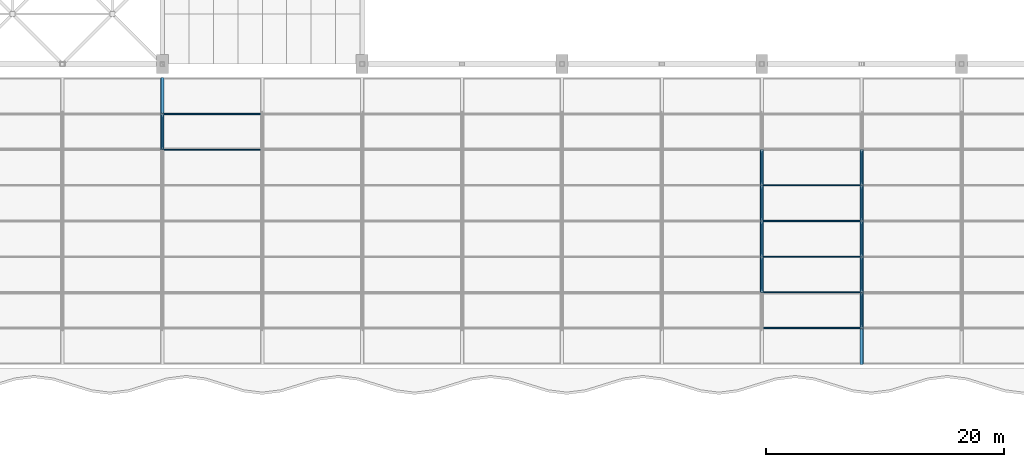
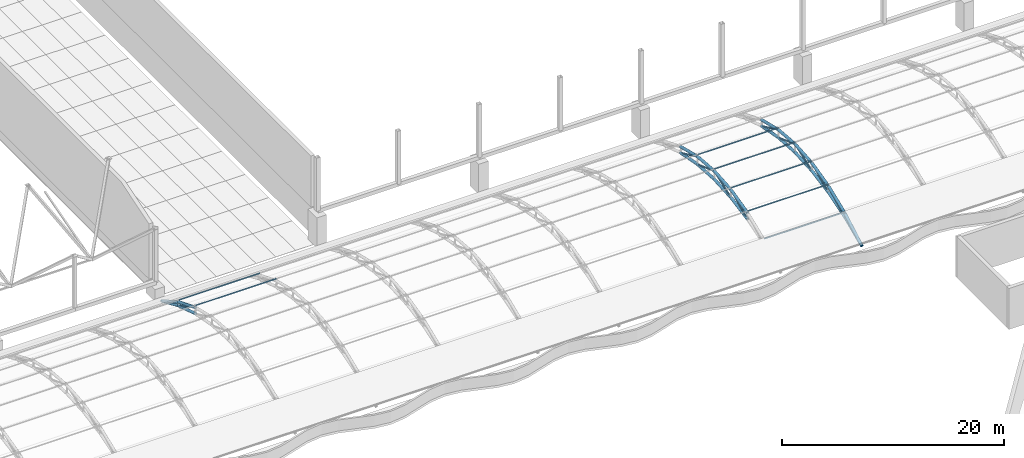
# One storey, part 48 of 163: 41 members.
"""IFC4 building model written with IfcOpenShell, lengths in metres."""

from ifc_helpers import new_model, si_unit, direction, frame, origin, origin_2d, place, context, subcontext, project, spatial, hollow_circle, extrude, material, material_profile, profile_set, type_object, element, save


model = new_model("IFC4")

# Units and contexts
model_context = context("Model", 3, precision=1e-05, world=origin(), true_north=direction((0.0, 1.0)))
body_context = subcontext(model_context, "Body", "Model", "MODEL_VIEW")
ifc_project = project(units=[si_unit("LENGTHUNIT", "METRE"), si_unit("AREAUNIT", "SQUARE_METRE"), si_unit("VOLUMEUNIT", "CUBIC_METRE"), si_unit("PLANEANGLEUNIT", "RADIAN"), si_unit("MASSUNIT", "GRAM", prefix="KILO")], contexts=[model_context])

# Site, building, storey
site_placement = place(None, origin())
site = spatial("IfcSite", under=ifc_project, at=site_placement, CompositionType="ELEMENT")
building_placement = place(site_placement, origin())
building = spatial("IfcBuilding", under=site, at=building_placement, Name="Rain Tree Exposition and Congress Centre", CompositionType="ELEMENT")
storey_placement = place(building_placement, frame((0.0, 0.0, 10.5)))
storey = spatial("IfcBuildingStorey", under=building, at=storey_placement, Name="L02", CompositionType="ELEMENT", Elevation=10.5)

# Members
ifc_material_1 = material(Name="Steel S355J2H", Category="steel")
ifc_material_profile_1 = material_profile(ifc_material_1, hollow_circle(Radius=0.090087890625, WallThickness=0.008056640625, at=origin_2d()), Name="CHS 180x8")
ifc_profile_set_1 = profile_set([ifc_material_profile_1], Name="Steel S355J2H")
member_type_1 = type_object("IfcMemberType", Name="Steel brace member CHS 180x8", PredefinedType="BRACE", material=ifc_profile_set_1)
member_1_placement = place(storey_placement, frame((126.0, 96.60009765625, 1.4423828125), z_axis=(0.0, -0.880818418444, 0.473454236151), x_axis=(1.0, 0.0, 0.0)))
element("IfcMember", 1, at=member_1_placement, inside=storey, type_object=member_type_1, Name="Roof truss 16 diagonal 6", PredefinedType="BRACE", context=body_context, shape_type="SweptSolid", body=[
    extrude(hollow_circle(Radius=0.090087890625, WallThickness=0.008056640625, at=origin_2d()), origin(), (0.0, 0.0, 1.0), 3.406005859375),
])
member_2_placement = place(storey_placement, frame((176.39990234375, 81.60009765625, 2.3798828125), z_axis=(0.0, 0.905430616583, 0.424494285655), x_axis=(-1.0, 0.0, 0.0)))
element("IfcMember", 2, at=member_2_placement, inside=storey, type_object=member_type_1, Name="Roof truss 22 diagonal 2", PredefinedType="BRACE", context=body_context, shape_type="SweptSolid", body=[
    extrude(hollow_circle(Radius=0.090087890625, WallThickness=0.008056640625, at=origin_2d()), origin(), (0.0, 0.0, 1.0), 3.313232421875),
])
for number, where, z_axis, x_axis, name in (
    (3, (176.39990234375, 84.60009765625, 2.9423828125), (0.0, 0.940121356633, 0.340839896143), (-1.0, 0.0, 0.0), "Roof truss 22 diagonal 3"),
    (4, (176.39990234375, 90.60009765625, 2.9423828125), (0.0, -0.940121356633, 0.340839896143), (1.0, 0.0, 0.0), "Roof truss 22 diagonal 4"),
):
    element("IfcMember", number, at=place(storey_placement, frame(where, z_axis=z_axis, x_axis=x_axis)), inside=storey, type_object=member_type_1, Name=name, PredefinedType="BRACE", context=body_context, shape_type="SweptSolid", body=[
        extrude(hollow_circle(Radius=0.090087890625, WallThickness=0.008056640625, at=origin_2d()), origin(), (0.0, 0.0, 1.0), 3.191162109375),
    ])
member_3_placement = place(storey_placement, frame((176.39990234375, 93.60009765625, 2.3798828125), z_axis=(0.0, -0.905430616583, 0.424494285655), x_axis=(1.0, 0.0, 0.0)))
element("IfcMember", 5, at=member_3_placement, inside=storey, type_object=member_type_1, Name="Roof truss 22 diagonal 5", PredefinedType="BRACE", context=body_context, shape_type="SweptSolid", body=[
    extrude(hollow_circle(Radius=0.090087890625, WallThickness=0.008056640625, at=origin_2d()), origin(), (0.0, 0.0, 1.0), 3.313232421875),
])
member_4_placement = place(storey_placement, frame((184.800048828125, 78.60009765625, 1.4423828125), z_axis=(0.0, 0.880818418444, 0.473454236151), x_axis=(-1.0, 0.0, 0.0)))
element("IfcMember", 6, at=member_4_placement, inside=storey, type_object=member_type_1, Name="Roof truss 23 diagonal 1", PredefinedType="BRACE", context=body_context, shape_type="SweptSolid", body=[
    extrude(hollow_circle(Radius=0.090087890625, WallThickness=0.008056640625, at=origin_2d()), origin(), (0.0, 0.0, 1.0), 3.406005859375),
])
member_5_placement = place(storey_placement, frame((184.800048828125, 81.60009765625, 2.3798828125), z_axis=(0.0, 0.905430616583, 0.424494285655), x_axis=(-1.0, 0.0, 0.0)))
element("IfcMember", 7, at=member_5_placement, inside=storey, type_object=member_type_1, Name="Roof truss 23 diagonal 2", PredefinedType="BRACE", context=body_context, shape_type="SweptSolid", body=[
    extrude(hollow_circle(Radius=0.090087890625, WallThickness=0.008056640625, at=origin_2d()), origin(), (0.0, 0.0, 1.0), 3.313232421875),
])
for number, where, z_axis, x_axis, name in (
    (8, (184.800048828125, 84.60009765625, 2.9423828125), (0.0, 0.940121356633, 0.340839896143), (-1.0, 0.0, 0.0), "Roof truss 23 diagonal 3"),
    (9, (184.800048828125, 90.60009765625, 2.9423828125), (0.0, -0.940121356633, 0.340839896143), (1.0, 0.0, 0.0), "Roof truss 23 diagonal 4"),
):
    element("IfcMember", number, at=place(storey_placement, frame(where, z_axis=z_axis, x_axis=x_axis)), inside=storey, type_object=member_type_1, Name=name, PredefinedType="BRACE", context=body_context, shape_type="SweptSolid", body=[
        extrude(hollow_circle(Radius=0.090087890625, WallThickness=0.008056640625, at=origin_2d()), origin(), (0.0, 0.0, 1.0), 3.191162109375),
    ])
member_6_placement = place(storey_placement, frame((184.800048828125, 93.60009765625, 2.3798828125), z_axis=(0.0, -0.905430616583, 0.424494285655), x_axis=(1.0, 0.0, 0.0)))
element("IfcMember", 10, at=member_6_placement, inside=storey, type_object=member_type_1, Name="Roof truss 23 diagonal 5", PredefinedType="BRACE", context=body_context, shape_type="SweptSolid", body=[
    extrude(hollow_circle(Radius=0.090087890625, WallThickness=0.008056640625, at=origin_2d()), origin(), (0.0, 0.0, 1.0), 3.313232421875),
])
ifc_material_2 = material(Name="Steel S355J2H", Category="steel")
ifc_material_profile_2 = material_profile(ifc_material_2, hollow_circle(Radius=0.14990234375, WallThickness=0.013916015625, at=origin_2d()), Name="CHS 300x14")
ifc_profile_set_2 = profile_set([ifc_material_profile_2], Name="Steel S355J2H")
member_type_2 = type_object("IfcMemberType", Name="Steel chord member CHS 300x14", PredefinedType="CHORD", material=ifc_profile_set_2)
member_7_placement = place(storey_placement, frame((126.0, 93.60009765625, 3.054931640625), z_axis=(0.0, 0.926466577122, -0.376377046956), x_axis=(-1.0, 0.0, 0.0)))
element("IfcMember", 11, at=member_7_placement, inside=storey, type_object=member_type_2, Name="Roof truss 16 top chord 7", PredefinedType="CHORD", context=body_context, shape_type="SweptSolid", body=[
    extrude(hollow_circle(Radius=0.14990234375, WallThickness=0.013916015625, at=origin_2d()), origin(), (0.0, 0.0, 1.0), 3.238037109375),
])
member_8_placement = place(storey_placement, frame((126.0, 93.60009765625, 2.3798828125), z_axis=(0.0, 0.954479978035, -0.298274993136), x_axis=(-1.0, 0.0, 0.0)))
element("IfcMember", 12, at=member_8_placement, inside=storey, type_object=member_type_2, Name="Roof truss 16 bottom chord 7", PredefinedType="CHORD", context=body_context, shape_type="SweptSolid", body=[
    extrude(hollow_circle(Radius=0.14990234375, WallThickness=0.013916015625, at=origin_2d()), origin(), (0.0, 0.0, 1.0), 3.14306640625),
])
member_9_placement = place(storey_placement, frame((126.0, 96.60009765625, 1.836181640625), z_axis=(0.0, 0.869238262324, -0.494393409455), x_axis=(-1.0, 0.0, 0.0)))
element("IfcMember", 13, at=member_9_placement, inside=storey, type_object=member_type_2, Name="Roof truss 16 top chord 8", PredefinedType="CHORD", context=body_context, shape_type="SweptSolid", body=[
    extrude(hollow_circle(Radius=0.14990234375, WallThickness=0.013916015625, at=origin_2d()), origin(), (0.0, 0.0, 1.0), 3.451416015625),
])
member_10_placement = place(storey_placement, frame((126.0, 96.60009765625, 1.4423828125), z_axis=(0.0, 0.916157334902, -0.40081883402), x_axis=(-1.0, 0.0, 0.0)))
element("IfcMember", 14, at=member_10_placement, inside=storey, type_object=member_type_2, Name="Roof truss 16 bottom chord 8", PredefinedType="CHORD", context=body_context, shape_type="SweptSolid", body=[
    extrude(hollow_circle(Radius=0.14990234375, WallThickness=0.013916015625, at=origin_2d()), origin(), (0.0, 0.0, 1.0), 3.274658203125),
])
member_11_placement = place(storey_placement, frame((176.39990234375, 81.60009765625, 3.054931640625), z_axis=(0.0, 0.971539868448, 0.236876094228), x_axis=(-1.0, 0.0, 0.0)))
element("IfcMember", 15, at=member_11_placement, inside=storey, type_object=member_type_2, Name="Roof truss 22 top chord 3", PredefinedType="CHORD", context=body_context, shape_type="SweptSolid", body=[
    extrude(hollow_circle(Radius=0.14990234375, WallThickness=0.013916015625, at=origin_2d()), origin(), (0.0, 0.0, 1.0), 3.087890625),
])
member_12_placement = place(storey_placement, frame((176.39990234375, 81.60009765625, 2.3798828125), z_axis=(0.0, 0.982872186934, 0.18428853505), x_axis=(-1.0, 0.0, 0.0)))
element("IfcMember", 16, at=member_12_placement, inside=storey, type_object=member_type_2, Name="Roof truss 22 bottom chord 3", PredefinedType="CHORD", context=body_context, shape_type="SweptSolid", body=[
    extrude(hollow_circle(Radius=0.14990234375, WallThickness=0.013916015625, at=origin_2d()), origin(), (0.0, 0.0, 1.0), 3.05224609375),
])
member_13_placement = place(storey_placement, frame((176.39990234375, 84.60009765625, 3.786376953125), z_axis=(0.0, 0.996718090462, 0.0809508996), x_axis=(-1.0, 0.0, 0.0)))
element("IfcMember", 17, at=member_13_placement, inside=storey, type_object=member_type_2, Name="Roof truss 22 top chord 4", PredefinedType="CHORD", context=body_context, shape_type="SweptSolid", body=[
    extrude(hollow_circle(Radius=0.14990234375, WallThickness=0.013916015625, at=origin_2d()), origin(), (0.0, 0.0, 1.0), 3.009765625),
])
member_14_placement = place(storey_placement, frame((176.39990234375, 84.60009765625, 2.9423828125), z_axis=(0.0, 0.998052578483, 0.062378286155), x_axis=(-1.0, 0.0, 0.0)))
element("IfcMember", 18, at=member_14_placement, inside=storey, type_object=member_type_2, Name="Roof truss 22 bottom chord 4", PredefinedType="CHORD", context=body_context, shape_type="SweptSolid", body=[
    extrude(hollow_circle(Radius=0.14990234375, WallThickness=0.013916015625, at=origin_2d()), origin(), (0.0, 0.0, 1.0), 3.005859375),
])
member_15_placement = place(storey_placement, frame((176.39990234375, 87.60009765625, 4.030029296875), z_axis=(0.0, 0.996718090462, -0.0809508996), x_axis=(-1.0, 0.0, 0.0)))
element("IfcMember", 19, at=member_15_placement, inside=storey, type_object=member_type_2, Name="Roof truss 22 top chord 5", PredefinedType="CHORD", context=body_context, shape_type="SweptSolid", body=[
    extrude(hollow_circle(Radius=0.14990234375, WallThickness=0.013916015625, at=origin_2d()), origin(), (0.0, 0.0, 1.0), 3.009765625),
])
member_16_placement = place(storey_placement, frame((176.39990234375, 87.60009765625, 3.1298828125), z_axis=(0.0, 0.998052578483, -0.062378286155), x_axis=(-1.0, 0.0, 0.0)))
element("IfcMember", 20, at=member_16_placement, inside=storey, type_object=member_type_2, Name="Roof truss 22 bottom chord 5", PredefinedType="CHORD", context=body_context, shape_type="SweptSolid", body=[
    extrude(hollow_circle(Radius=0.14990234375, WallThickness=0.013916015625, at=origin_2d()), origin(), (0.0, 0.0, 1.0), 3.005859375),
])
member_17_placement = place(storey_placement, frame((176.39990234375, 90.60009765625, 3.786376953125), z_axis=(0.0, 0.971539868448, -0.236876094228), x_axis=(-1.0, 0.0, 0.0)))
element("IfcMember", 21, at=member_17_placement, inside=storey, type_object=member_type_2, Name="Roof truss 22 top chord 6", PredefinedType="CHORD", context=body_context, shape_type="SweptSolid", body=[
    extrude(hollow_circle(Radius=0.14990234375, WallThickness=0.013916015625, at=origin_2d()), origin(), (0.0, 0.0, 1.0), 3.087890625),
])
member_18_placement = place(storey_placement, frame((176.39990234375, 90.60009765625, 2.9423828125), z_axis=(0.0, 0.982872186934, -0.18428853505), x_axis=(-1.0, 0.0, 0.0)))
element("IfcMember", 22, at=member_18_placement, inside=storey, type_object=member_type_2, Name="Roof truss 22 bottom chord 6", PredefinedType="CHORD", context=body_context, shape_type="SweptSolid", body=[
    extrude(hollow_circle(Radius=0.14990234375, WallThickness=0.013916015625, at=origin_2d()), origin(), (0.0, 0.0, 1.0), 3.05224609375),
])
member_19_placement = place(storey_placement, frame((184.800048828125, 75.60009765625, 0.1298828125), z_axis=(0.0, 0.869238262324, 0.494393409455), x_axis=(-1.0, 0.0, 0.0)))
element("IfcMember", 23, at=member_19_placement, inside=storey, type_object=member_type_2, Name="Roof truss 23 top chord 1", PredefinedType="CHORD", context=body_context, shape_type="SweptSolid", body=[
    extrude(hollow_circle(Radius=0.14990234375, WallThickness=0.013916015625, at=origin_2d()), origin(), (0.0, 0.0, 1.0), 3.451416015625),
])
member_20_placement = place(storey_placement, frame((184.800048828125, 75.60009765625, 0.1298828125), z_axis=(0.0, 0.916157334902, 0.40081883402), x_axis=(-1.0, 0.0, 0.0)))
element("IfcMember", 24, at=member_20_placement, inside=storey, type_object=member_type_2, Name="Roof truss 23 bottom chord 1", PredefinedType="CHORD", context=body_context, shape_type="SweptSolid", body=[
    extrude(hollow_circle(Radius=0.14990234375, WallThickness=0.013916015625, at=origin_2d()), origin(), (0.0, 0.0, 1.0), 3.274658203125),
])
member_21_placement = place(storey_placement, frame((184.800048828125, 78.60009765625, 1.836181640625), z_axis=(0.0, 0.926466577122, 0.376377046956), x_axis=(-1.0, 0.0, 0.0)))
element("IfcMember", 25, at=member_21_placement, inside=storey, type_object=member_type_2, Name="Roof truss 23 top chord 2", PredefinedType="CHORD", context=body_context, shape_type="SweptSolid", body=[
    extrude(hollow_circle(Radius=0.14990234375, WallThickness=0.013916015625, at=origin_2d()), origin(), (0.0, 0.0, 1.0), 3.238037109375),
])
member_22_placement = place(storey_placement, frame((184.800048828125, 78.60009765625, 1.4423828125), z_axis=(0.0, 0.954479978035, 0.298274993136), x_axis=(-1.0, 0.0, 0.0)))
element("IfcMember", 26, at=member_22_placement, inside=storey, type_object=member_type_2, Name="Roof truss 23 bottom chord 2", PredefinedType="CHORD", context=body_context, shape_type="SweptSolid", body=[
    extrude(hollow_circle(Radius=0.14990234375, WallThickness=0.013916015625, at=origin_2d()), origin(), (0.0, 0.0, 1.0), 3.14306640625),
])
member_23_placement = place(storey_placement, frame((184.800048828125, 81.60009765625, 3.054931640625), z_axis=(0.0, 0.971539868448, 0.236876094228), x_axis=(-1.0, 0.0, 0.0)))
element("IfcMember", 27, at=member_23_placement, inside=storey, type_object=member_type_2, Name="Roof truss 23 top chord 3", PredefinedType="CHORD", context=body_context, shape_type="SweptSolid", body=[
    extrude(hollow_circle(Radius=0.14990234375, WallThickness=0.013916015625, at=origin_2d()), origin(), (0.0, 0.0, 1.0), 3.087890625),
])
member_24_placement = place(storey_placement, frame((184.800048828125, 81.60009765625, 2.3798828125), z_axis=(0.0, 0.982872186934, 0.18428853505), x_axis=(-1.0, 0.0, 0.0)))
element("IfcMember", 28, at=member_24_placement, inside=storey, type_object=member_type_2, Name="Roof truss 23 bottom chord 3", PredefinedType="CHORD", context=body_context, shape_type="SweptSolid", body=[
    extrude(hollow_circle(Radius=0.14990234375, WallThickness=0.013916015625, at=origin_2d()), origin(), (0.0, 0.0, 1.0), 3.05224609375),
])
member_25_placement = place(storey_placement, frame((184.800048828125, 84.60009765625, 3.786376953125), z_axis=(0.0, 0.996718090462, 0.0809508996), x_axis=(-1.0, 0.0, 0.0)))
element("IfcMember", 29, at=member_25_placement, inside=storey, type_object=member_type_2, Name="Roof truss 23 top chord 4", PredefinedType="CHORD", context=body_context, shape_type="SweptSolid", body=[
    extrude(hollow_circle(Radius=0.14990234375, WallThickness=0.013916015625, at=origin_2d()), origin(), (0.0, 0.0, 1.0), 3.009765625),
])
member_26_placement = place(storey_placement, frame((184.800048828125, 84.60009765625, 2.9423828125), z_axis=(0.0, 0.998052578483, 0.062378286155), x_axis=(-1.0, 0.0, 0.0)))
element("IfcMember", 30, at=member_26_placement, inside=storey, type_object=member_type_2, Name="Roof truss 23 bottom chord 4", PredefinedType="CHORD", context=body_context, shape_type="SweptSolid", body=[
    extrude(hollow_circle(Radius=0.14990234375, WallThickness=0.013916015625, at=origin_2d()), origin(), (0.0, 0.0, 1.0), 3.005859375),
])
member_27_placement = place(storey_placement, frame((184.800048828125, 87.60009765625, 4.030029296875), z_axis=(0.0, 0.996718090462, -0.0809508996), x_axis=(-1.0, 0.0, 0.0)))
element("IfcMember", 31, at=member_27_placement, inside=storey, type_object=member_type_2, Name="Roof truss 23 top chord 5", PredefinedType="CHORD", context=body_context, shape_type="SweptSolid", body=[
    extrude(hollow_circle(Radius=0.14990234375, WallThickness=0.013916015625, at=origin_2d()), origin(), (0.0, 0.0, 1.0), 3.009765625),
])
member_28_placement = place(storey_placement, frame((184.800048828125, 87.60009765625, 3.1298828125), z_axis=(0.0, 0.998052578483, -0.062378286155), x_axis=(-1.0, 0.0, 0.0)))
element("IfcMember", 32, at=member_28_placement, inside=storey, type_object=member_type_2, Name="Roof truss 23 bottom chord 5", PredefinedType="CHORD", context=body_context, shape_type="SweptSolid", body=[
    extrude(hollow_circle(Radius=0.14990234375, WallThickness=0.013916015625, at=origin_2d()), origin(), (0.0, 0.0, 1.0), 3.005859375),
])
member_29_placement = place(storey_placement, frame((184.800048828125, 90.60009765625, 3.786376953125), z_axis=(0.0, 0.971539868448, -0.236876094228), x_axis=(-1.0, 0.0, 0.0)))
element("IfcMember", 33, at=member_29_placement, inside=storey, type_object=member_type_2, Name="Roof truss 23 top chord 6", PredefinedType="CHORD", context=body_context, shape_type="SweptSolid", body=[
    extrude(hollow_circle(Radius=0.14990234375, WallThickness=0.013916015625, at=origin_2d()), origin(), (0.0, 0.0, 1.0), 3.087890625),
])
member_30_placement = place(storey_placement, frame((184.800048828125, 90.60009765625, 2.9423828125), z_axis=(0.0, 0.982872186934, -0.18428853505), x_axis=(-1.0, 0.0, 0.0)))
element("IfcMember", 34, at=member_30_placement, inside=storey, type_object=member_type_2, Name="Roof truss 23 bottom chord 6", PredefinedType="CHORD", context=body_context, shape_type="SweptSolid", body=[
    extrude(hollow_circle(Radius=0.14990234375, WallThickness=0.013916015625, at=origin_2d()), origin(), (0.0, 0.0, 1.0), 3.05224609375),
])
ifc_material_3 = material(Name="Steel S355J2H", Category="steel")
ifc_material_profile_3 = material_profile(ifc_material_3, hollow_circle(Radius=0.070068359375, WallThickness=0.006103515625, at=origin_2d()), Name="CHS 140x6")
ifc_profile_set_3 = profile_set([ifc_material_profile_3], Name="Steel S355J2H")
member_type_3 = type_object("IfcMemberType", Name="Steel purlin member CHS 140x6", PredefinedType="PURLIN", material=ifc_profile_set_3)
for number, where, z_axis, x_axis, name in (
    (35, (176.39990234375, 78.60009765625, 2.056396484375), (1.0, 0.0, 0.0), (0.0, 1.0, 0.0), "Roof purlin 2.22"),
    (36, (176.39990234375, 81.60009765625, 3.27490234375), (1.0, 0.0, 0.0), (0.0, 1.0, 0.0), "Roof purlin 3.22"),
    (37, (176.39990234375, 84.60009765625, 4.00634765625), (1.0, 0.0, 0.0), (0.0, 1.0, 0.0), "Roof purlin 4.22"),
    (38, (176.39990234375, 87.60009765625, 4.25), (1.0, 0.0, 0.0), (0.0, 1.0, 0.0), "Roof purlin 5.22"),
    (39, (176.39990234375, 90.60009765625, 4.00634765625), (1.0, 0.0, 0.0), (0.0, 1.0, 0.0), "Roof purlin 6.22"),
):
    element("IfcMember", number, at=place(storey_placement, frame(where, z_axis=z_axis, x_axis=x_axis)), inside=storey, type_object=member_type_3, Name=name, PredefinedType="PURLIN", context=body_context, shape_type="SweptSolid", body=[
        extrude(hollow_circle(Radius=0.070068359375, WallThickness=0.006103515625, at=origin_2d()), origin(), (0.0, 0.0, 1.0), 8.400146484375),
    ])
for number, where, z_axis, x_axis, name in (
    (40, (126.0, 93.60009765625, 3.27490234375), (1.0, 0.0, 0.0), (0.0, 1.0, 0.0), "Roof purlin 7.16"),
    (41, (126.0, 96.60009765625, 2.056396484375), (1.0, 0.0, 0.0), (0.0, 1.0, 0.0), "Roof purlin 8.16"),
):
    element("IfcMember", number, at=place(storey_placement, frame(where, z_axis=z_axis, x_axis=x_axis)), inside=storey, type_object=member_type_3, Name=name, PredefinedType="PURLIN", context=body_context, shape_type="SweptSolid", body=[
        extrude(hollow_circle(Radius=0.070068359375, WallThickness=0.006103515625, at=origin_2d()), origin(), (0.0, 0.0, 1.0), 8.39990234375),
    ])

save(model, "model.ifc")
